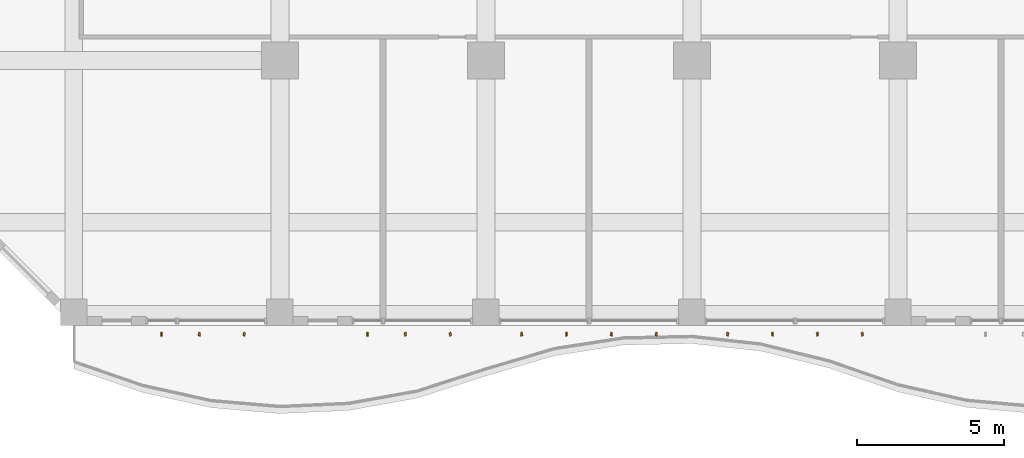
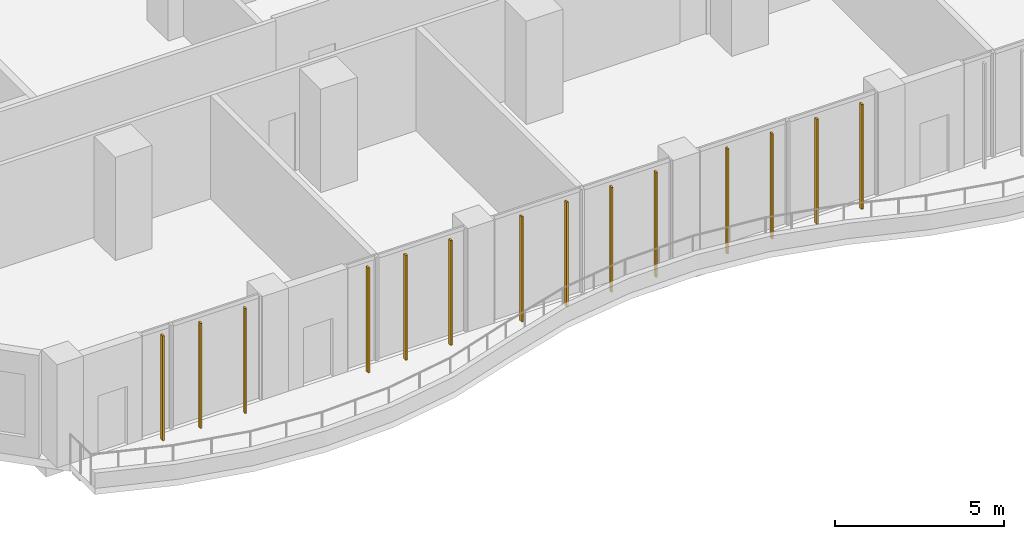
# One storey, part 20 of 28: 14 shading devices.
"""IFC4 building model written with IfcOpenShell, lengths in metres."""

from ifc_helpers import new_model, si_unit, direction, frame, origin, origin_2d, place, context, subcontext, project, spatial, rectangle, extrude, source, transform, mapped, material, material_profile, profile_set, type_object, element, save


model = new_model("IFC4")

# Units and contexts
model_context = context("Model", 3, precision=1e-05, world=origin(), true_north=direction((0.0, 1.0)))
body_context = subcontext(model_context, "Body", "Model", "MODEL_VIEW")
ifc_project = project(units=[si_unit("LENGTHUNIT", "METRE"), si_unit("AREAUNIT", "SQUARE_METRE"), si_unit("VOLUMEUNIT", "CUBIC_METRE"), si_unit("PLANEANGLEUNIT", "RADIAN"), si_unit("MASSUNIT", "GRAM", prefix="KILO")], contexts=[model_context])

# Site, building, storey
site_placement = place(None, origin())
site = spatial("IfcSite", under=ifc_project, at=site_placement, CompositionType="ELEMENT")
building_placement = place(site_placement, origin())
building = spatial("IfcBuilding", under=site, at=building_placement, Name="Kilnfold Tower and Market Hall", CompositionType="ELEMENT")
storey_placement = place(building_placement, frame((0.0, 0.0, 75.199951171875)))
storey = spatial("IfcBuildingStorey", under=building, at=storey_placement, Name="L17", CompositionType="ELEMENT", Elevation=75.199951171875)

# Shading devices
ifc_material = material(Name="Terracotta", Category="masonry")
ifc_material_profile = material_profile(ifc_material, rectangle(XDim=0.06005859375, YDim=0.1201171875, at=origin_2d()), Name="BAG 60x120")
ifc_profile_set = profile_set([ifc_material_profile], Name="Terracotta")
shading_device_type = type_object("IfcShadingDeviceType", Name="BAGUETTE", PredefinedType="USERDEFINED", material=ifc_profile_set)
shared_shape = source(origin(), body_context, "Body", "SweptSolid", [
    extrude(rectangle(XDim=0.06005859375, YDim=0.1201171875, at=origin_2d()), origin(), (0.0, 0.0, 1.0), 3.780029296875),
])
for number, where, z_axis, x_axis, name in (
    (1, (-16.52490234375, -28.300048828125, 0.0), (0.0, 0.0, 1.0), (0.999999904044, 0.000438077628, 0.0), "Terracotta baguette L17 S"),
    (2, (-15.237548828125, -28.300048828125, 0.0), (0.0, 0.0, 1.0), (0.997121175592, -0.075824542114, 0.0), "Terracotta baguette L17 S"),
    (3, (-13.71240234375, -28.300048828125, 0.0), (0.0, 0.0, 1.0), (0.991182038023, -0.132507235653, 0.0), "Terracotta baguette L17 S"),
    (4, (-9.52490234375, -28.300048828125, 0.0), (0.0, 0.0, 1.0), (0.999999904044, -0.000438077628, 0.0), "Terracotta baguette L17 S"),
    (5, (-8.237548828125, -28.300048828125, 0.0), (0.0, 0.0, 1.0), (0.997121175592, 0.075824542114, 0.0), "Terracotta baguette L17 S"),
    (6, (-6.71240234375, -28.300048828125, 0.0), (0.0, 0.0, 1.0), (0.991182038023, 0.132507235653, 0.0), "Terracotta baguette L17 S"),
    (7, (-4.28759765625, -28.300048828125, 0.0), (0.0, 0.0, 1.0), (0.995044990236, 0.099425687856, 0.0), "Terracotta baguette L17 S"),
    (8, (-2.762451171875, -28.300048828125, 0.0), (0.0, 0.0, 1.0), (0.999883097543, 0.015290233727, 0.0), "Terracotta baguette L17 S"),
    (9, (-1.237548828125, -28.300048828125, 0.0), (0.0, 0.0, 1.0), (0.997121175592, -0.075824542114, 0.0), "Terracotta baguette L17 S"),
    (10, (0.28759765625, -28.300048828125, 0.0), (0.0, 0.0, 1.0), (0.991182038023, -0.132507235653, 0.0), "Terracotta baguette L17 S"),
    (11, (2.71240234375, -28.300048828125, 0.0), (0.0, 0.0, 1.0), (0.995044990236, -0.099425687856, 0.0), "Terracotta baguette L17 S"),
    (12, (4.237548828125, -28.300048828125, 0.0), (0.0, 0.0, 1.0), (0.999883097543, -0.015290233727, 0.0), "Terracotta baguette L17 S"),
    (13, (5.762451171875, -28.300048828125, 0.0), (0.0, 0.0, 1.0), (0.997121175592, 0.075824542114, 0.0), "Terracotta baguette L17 S"),
    (14, (7.28759765625, -28.300048828125, 0.0), (0.0, 0.0, 1.0), (0.991182038023, 0.132507235653, 0.0), "Terracotta baguette L17 S"),
):
    element("IfcShadingDevice", number, at=place(storey_placement, frame(where, z_axis=z_axis, x_axis=x_axis)), inside=storey, type_object=shading_device_type, Name=name, ObjectType="BAGUETTE", PredefinedType="USERDEFINED", context=body_context, shape_type="MappedRepresentation", body=[
        mapped(shared_shape, transform((0.0, 0.0, 0.0))),
    ])

save(model, "model.ifc")
